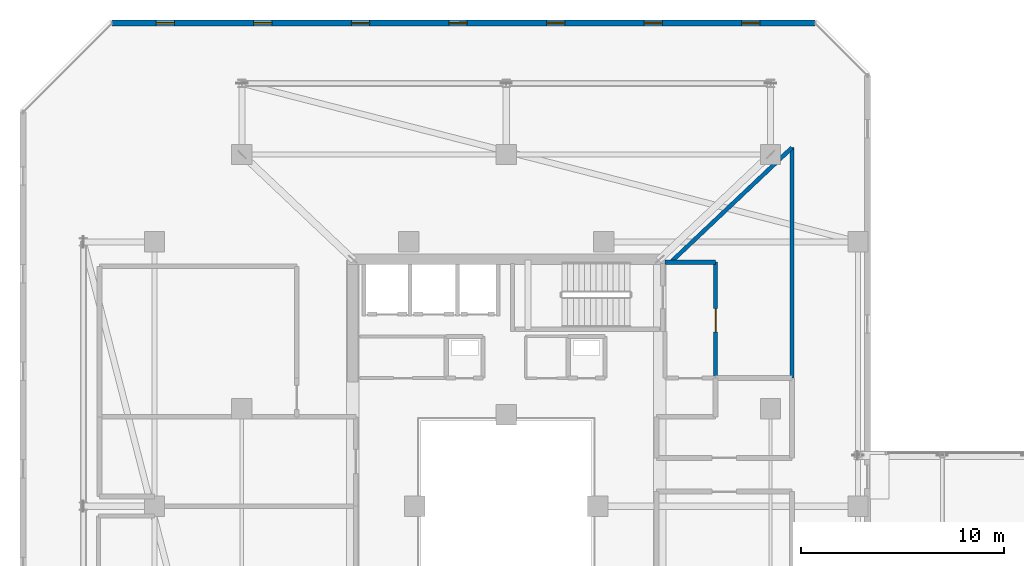
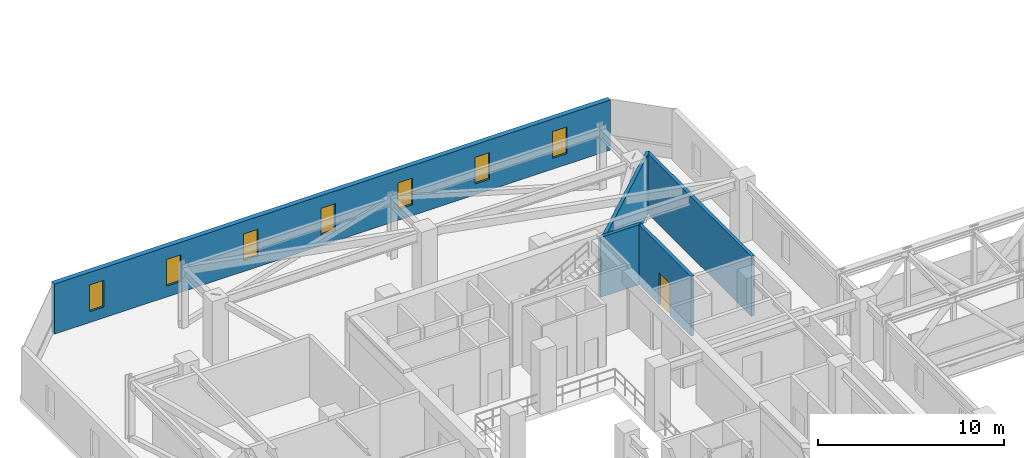
# One storey, part 36 of 42: 7 windows, 5 walls, 1 door, 8 openings.
"""IFC4 building model written with IfcOpenShell, lengths in metres."""

from ifc_helpers import new_model, si_unit, direction, frame, frame_2d, origin, place, context, subcontext, project, spatial, rectangle, extrude, material, layer, layer_set, type_object, element, fill, save


model = new_model("IFC4")

# Units and contexts
model_context = context("Model", 3, precision=1e-05, world=origin(), true_north=direction((0.0, 1.0)))
body_context = subcontext(model_context, "Body", "Model", "MODEL_VIEW")
ifc_project = project(units=[si_unit("LENGTHUNIT", "METRE"), si_unit("AREAUNIT", "SQUARE_METRE"), si_unit("VOLUMEUNIT", "CUBIC_METRE"), si_unit("PLANEANGLEUNIT", "RADIAN"), si_unit("MASSUNIT", "GRAM", prefix="KILO")], contexts=[model_context])

# Site, building, storey
site_placement = place(None, origin())
site = spatial("IfcSite", under=ifc_project, at=site_placement, CompositionType="ELEMENT")
building_placement = place(site_placement, origin())
building = spatial("IfcBuilding", under=site, at=building_placement, Name="Thornwick Lancets Civic Towers", CompositionType="ELEMENT")
storey_placement = place(building_placement, frame((0.0, 0.0, 221.699951171875)))
storey = spatial("IfcBuildingStorey", under=building, at=storey_placement, Name="L59", CompositionType="ELEMENT", Elevation=221.699951171875)

# Wall, opening, door
ifc_material_1 = material(Name="Concrete blockwork C40/50", Category="masonry")
ifc_layer_1 = layer(ifc_material_1, 0.199951171875, Name="Concrete blockwork C40/50")
ifc_layer_set_1 = layer_set([ifc_layer_1], Name="Concrete blockwork C40/50")
wall_type_1 = type_object("IfcWallType", Name="WALL_COMP_200", PredefinedType="STANDARD", material=ifc_layer_set_1)
wall_1_placement = place(storey_placement, frame((35.800048828125, 33.300048828125, 0.0), z_axis=(0.0, 0.0, 1.0), x_axis=(0.0, 1.0, 0.0)))
wall_1 = element("IfcWall", 1, at=wall_1_placement, inside=storey, type_object=wall_type_1, Name="L59 Partition L59-A-FFLOB2 E2", PredefinedType="STANDARD", context=body_context, shape_type="SweptSolid", body=[
    extrude(rectangle(XDim=5.699951171875, YDim=0.199951171875, at=frame_2d((2.85009765625, 0.0))), origin(), (0.0, 0.0, 1.0), 3.93994140625),
])
opening_1_placement = place(wall_1_placement, frame((2.27490234375, 0.0, 0.0)))
opening_1 = element("IfcOpeningElement", 2, at=opening_1_placement, cuts=wall_1, Name="Opening D-L59-2666", PredefinedType="OPENING", context=body_context, shape_type="SweptSolid", body=[
    extrude(rectangle(XDim=1.14990234375, YDim=2.10009765625, at=frame_2d((0.574951171875, 1.050048828125))), frame((0.0, 0.10986328125, 0.0), z_axis=(0.0, -1.0, 0.0), x_axis=(1.0, 0.0, 0.0)), (0.0, 0.0, 1.0), 0.219970703125),
])
ifc_material_2 = material(Name="Glazed fire-resisting steel", Category="steel")
door_type = type_object("IfcDoorType", Name="DOOR_LOBBY_FD60", OperationType="NOTDEFINED", PredefinedType="DOOR", material=ifc_material_2)
door_placement = place(opening_1_placement, origin())
door = element("IfcDoor", 3, at=door_placement, inside=storey, type_object=door_type, Name="L59 Tower A Refuge Holding Area 2 Door", OperationType="SINGLE_SWING_LEFT", OverallHeight=2.10009765625, OverallWidth=1.14990234375, PredefinedType="DOOR", context=body_context, shape_type="SweptSolid", body=[
    extrude(rectangle(XDim=1.14990234375, YDim=2.10009765625, at=frame_2d((0.574951171875, 1.050048828125))), frame((0.0, 0.02490234375, 0.0), z_axis=(0.0, -1.0, 0.0), x_axis=(1.0, 0.0, 0.0)), (0.0, 0.0, 1.0), 0.050048828125),
])
fill(opening_1, door)

# Walls
wall_2_placement = place(storey_placement, frame((35.800048828125, 39.0, 0.0), z_axis=(0.0, 0.0, 1.0), x_axis=(-1.0, 0.0, 0.0)))
element("IfcWall", 4, at=wall_2_placement, inside=storey, type_object=wall_type_1, Name="L59 Partition L59-A-FFLOB2 E3", PredefinedType="STANDARD", context=body_context, shape_type="SweptSolid", body=[
    extrude(rectangle(XDim=2.5, YDim=0.199951171875, at=frame_2d((1.25, 0.0))), origin(), (0.0, 0.0, 1.0), 3.93994140625),
])
wall_3_placement = place(storey_placement, frame((33.590087890625, 39.0, 0.0), z_axis=(0.0, 0.0, 1.0), x_axis=(0.72683147456, 0.686815846926, 0.0)))
element("IfcWall", 5, at=wall_3_placement, inside=storey, type_object=wall_type_1, Name="L59 Partition L59-A-REF2 E2", PredefinedType="STANDARD", context=body_context, shape_type="SweptSolid", body=[
    extrude(rectangle(XDim=8.199951171875, YDim=0.199951171875, at=frame_2d((4.10009765625, 0.0))), origin(), (0.0, 0.0, 1.0), 3.93994140625),
])
wall_4_placement = place(storey_placement, frame((39.550048828125, 44.6318359375, 0.0), z_axis=(0.0, 0.0, 1.0), x_axis=(0.0, -1.0, 0.0)))
element("IfcWall", 6, at=wall_4_placement, inside=storey, type_object=wall_type_1, Name="L59 Partition L59-A-REF2 E3", PredefinedType="STANDARD", context=body_context, shape_type="SweptSolid", body=[
    extrude(rectangle(XDim=11.331787109375, YDim=0.199951171875, at=frame_2d((5.666015625, 0.0))), origin(), (0.0, 0.0, 1.0), 3.93994140625),
])

# Wall, openings, windows
ifc_material_3 = material(Name="Insulated russet terracotta rainscreen on concrete C40/50", Category="masonry")
ifc_layer_2 = layer(ifc_material_3, 0.300048828125, Name="Insulated russet terracotta rainscreen on concrete C40/50")
ifc_layer_set_2 = layer_set([ifc_layer_2], Name="Insulated russet terracotta rainscreen on concrete C40/50")
wall_type_2 = type_object("IfcWallType", Name="WALL_EXT_RUSSET_300", PredefinedType="STANDARD", material=ifc_layer_set_2)
wall_5_placement = place(storey_placement, frame((40.681396484375, 50.7646484375, 0.0), z_axis=(0.0, 0.0, 1.0), x_axis=(-0.999999985636, -0.000169493917, 0.0)))
wall_5 = element("IfcWall", 7, at=wall_5_placement, inside=storey, type_object=wall_type_2, Name="L59 Tower A Terracotta Facade Wall E4", PredefinedType="STANDARD", context=body_context, shape_type="SweptSolid", body=[
    extrude(rectangle(XDim=34.56982421875, YDim=0.300048828125, at=frame_2d((17.284912109375, 0.0))), origin(), (0.0, 0.0, 1.0), 3.300048828125),
])
opening_2_placement = place(wall_5_placement, frame((2.699951171875, 0.0, 0.719970703125)))
opening_2 = element("IfcOpeningElement", 8, at=opening_2_placement, cuts=wall_5, Name="Opening WL-01", PredefinedType="OPENING", context=body_context, shape_type="SweptSolid", body=[
    extrude(rectangle(XDim=0.89990234375, YDim=1.75, at=frame_2d((0.449951171875, 0.875))), frame((0.0, 0.16015625, 0.0), z_axis=(0.0, -1.0, 0.0), x_axis=(1.0, 0.0, 0.0)), (0.0, 0.0, 1.0), 0.320068359375),
])
opening_3_placement = place(wall_5_placement, frame((7.5, 0.0, 0.719970703125)))
opening_3 = element("IfcOpeningElement", 9, at=opening_3_placement, cuts=wall_5, Name="Opening WL-01", PredefinedType="OPENING", context=body_context, shape_type="SweptSolid", body=[
    extrude(rectangle(XDim=0.89990234375, YDim=1.75, at=frame_2d((0.449951171875, 0.875))), frame((0.0, 0.16015625, 0.0), z_axis=(0.0, -1.0, 0.0), x_axis=(1.0, 0.0, 0.0)), (0.0, 0.0, 1.0), 0.320068359375),
])
opening_4_placement = place(wall_5_placement, frame((12.300048828125, 0.0, 0.719970703125)))
opening_4 = element("IfcOpeningElement", 10, at=opening_4_placement, cuts=wall_5, Name="Opening WL-01", PredefinedType="OPENING", context=body_context, shape_type="SweptSolid", body=[
    extrude(rectangle(XDim=0.89990234375, YDim=1.75, at=frame_2d((0.449951171875, 0.875))), frame((0.0, 0.16015625, 0.0), z_axis=(0.0, -1.0, 0.0), x_axis=(1.0, 0.0, 0.0)), (0.0, 0.0, 1.0), 0.320068359375),
])
opening_5_placement = place(wall_5_placement, frame((17.10009765625, 0.0, 0.719970703125)))
opening_5 = element("IfcOpeningElement", 11, at=opening_5_placement, cuts=wall_5, Name="Opening WL-01", PredefinedType="OPENING", context=body_context, shape_type="SweptSolid", body=[
    extrude(rectangle(XDim=0.89990234375, YDim=1.75, at=frame_2d((0.449951171875, 0.875))), frame((0.0, 0.16015625, 0.0), z_axis=(0.0, -1.0, 0.0), x_axis=(1.0, 0.0, 0.0)), (0.0, 0.0, 1.0), 0.320068359375),
])
opening_6_placement = place(wall_5_placement, frame((21.89990234375, 0.0, 0.719970703125)))
opening_6 = element("IfcOpeningElement", 12, at=opening_6_placement, cuts=wall_5, Name="Opening WL-01", PredefinedType="OPENING", context=body_context, shape_type="SweptSolid", body=[
    extrude(rectangle(XDim=0.89990234375, YDim=1.75, at=frame_2d((0.449951171875, 0.875))), frame((0.0, 0.16015625, 0.0), z_axis=(0.0, -1.0, 0.0), x_axis=(1.0, 0.0, 0.0)), (0.0, 0.0, 1.0), 0.320068359375),
])
opening_7_placement = place(wall_5_placement, frame((26.699951171875, 0.0, 0.719970703125)))
opening_7 = element("IfcOpeningElement", 13, at=opening_7_placement, cuts=wall_5, Name="Opening WL-01", PredefinedType="OPENING", context=body_context, shape_type="SweptSolid", body=[
    extrude(rectangle(XDim=0.89990234375, YDim=1.75, at=frame_2d((0.449951171875, 0.875))), frame((0.0, 0.16015625, 0.0), z_axis=(0.0, -1.0, 0.0), x_axis=(1.0, 0.0, 0.0)), (0.0, 0.0, 1.0), 0.320068359375),
])
opening_8_placement = place(wall_5_placement, frame((31.5, 0.0, 0.719970703125)))
opening_8 = element("IfcOpeningElement", 14, at=opening_8_placement, cuts=wall_5, Name="Opening WL-01", PredefinedType="OPENING", context=body_context, shape_type="SweptSolid", body=[
    extrude(rectangle(XDim=0.89990234375, YDim=1.75, at=frame_2d((0.449951171875, 0.875))), frame((0.0, 0.16015625, 0.0), z_axis=(0.0, -1.0, 0.0), x_axis=(1.0, 0.0, 0.0)), (0.0, 0.0, 1.0), 0.320068359375),
])
ifc_material_4 = material(Name="Clear low-e double glazing in bronze frame", Category="glass")
window_type = type_object("IfcWindowType", Name="WIN_LANCET_900", PartitioningType="SINGLE_PANEL", PredefinedType="WINDOW", material=ifc_material_4)
window_1_placement = place(opening_2_placement, origin())
window_1 = element("IfcWindow", 15, at=window_1_placement, inside=storey, type_object=window_type, Name="L59 Tower A Staggered Lancet Window E4-1", OverallHeight=1.75, OverallWidth=0.89990234375, PartitioningType="SINGLE_PANEL", PredefinedType="WINDOW", context=body_context, shape_type="SweptSolid", body=[
    extrude(rectangle(XDim=0.89990234375, YDim=1.75, at=frame_2d((0.449951171875, 0.875))), frame((0.0, 0.030029296875, 0.0), z_axis=(0.0, -1.0, 0.0), x_axis=(1.0, 0.0, 0.0)), (0.0, 0.0, 1.0), 0.06005859375),
])
fill(opening_2, window_1)
window_2_placement = place(opening_3_placement, origin())
window_2 = element("IfcWindow", 16, at=window_2_placement, inside=storey, type_object=window_type, Name="L59 Tower A Staggered Lancet Window E4-2", OverallHeight=1.75, OverallWidth=0.89990234375, PartitioningType="SINGLE_PANEL", PredefinedType="WINDOW", context=body_context, shape_type="SweptSolid", body=[
    extrude(rectangle(XDim=0.89990234375, YDim=1.75, at=frame_2d((0.449951171875, 0.875))), frame((0.0, 0.030029296875, 0.0), z_axis=(0.0, -1.0, 0.0), x_axis=(1.0, 0.0, 0.0)), (0.0, 0.0, 1.0), 0.06005859375),
])
fill(opening_3, window_2)
window_3_placement = place(opening_4_placement, origin())
window_3 = element("IfcWindow", 17, at=window_3_placement, inside=storey, type_object=window_type, Name="L59 Tower A Staggered Lancet Window E4-3", OverallHeight=1.75, OverallWidth=0.89990234375, PartitioningType="SINGLE_PANEL", PredefinedType="WINDOW", context=body_context, shape_type="SweptSolid", body=[
    extrude(rectangle(XDim=0.89990234375, YDim=1.75, at=frame_2d((0.449951171875, 0.875))), frame((0.0, 0.030029296875, 0.0), z_axis=(0.0, -1.0, 0.0), x_axis=(1.0, 0.0, 0.0)), (0.0, 0.0, 1.0), 0.06005859375),
])
fill(opening_4, window_3)
window_4_placement = place(opening_5_placement, origin())
window_4 = element("IfcWindow", 18, at=window_4_placement, inside=storey, type_object=window_type, Name="L59 Tower A Staggered Lancet Window E4-4", OverallHeight=1.75, OverallWidth=0.89990234375, PartitioningType="SINGLE_PANEL", PredefinedType="WINDOW", context=body_context, shape_type="SweptSolid", body=[
    extrude(rectangle(XDim=0.89990234375, YDim=1.75, at=frame_2d((0.449951171875, 0.875))), frame((0.0, 0.030029296875, 0.0), z_axis=(0.0, -1.0, 0.0), x_axis=(1.0, 0.0, 0.0)), (0.0, 0.0, 1.0), 0.06005859375),
])
fill(opening_5, window_4)
window_5_placement = place(opening_6_placement, origin())
window_5 = element("IfcWindow", 19, at=window_5_placement, inside=storey, type_object=window_type, Name="L59 Tower A Staggered Lancet Window E4-5", OverallHeight=1.75, OverallWidth=0.89990234375, PartitioningType="SINGLE_PANEL", PredefinedType="WINDOW", context=body_context, shape_type="SweptSolid", body=[
    extrude(rectangle(XDim=0.89990234375, YDim=1.75, at=frame_2d((0.449951171875, 0.875))), frame((0.0, 0.030029296875, 0.0), z_axis=(0.0, -1.0, 0.0), x_axis=(1.0, 0.0, 0.0)), (0.0, 0.0, 1.0), 0.06005859375),
])
fill(opening_6, window_5)
window_6_placement = place(opening_7_placement, origin())
window_6 = element("IfcWindow", 20, at=window_6_placement, inside=storey, type_object=window_type, Name="L59 Tower A Staggered Lancet Window E4-6", OverallHeight=1.75, OverallWidth=0.89990234375, PartitioningType="SINGLE_PANEL", PredefinedType="WINDOW", context=body_context, shape_type="SweptSolid", body=[
    extrude(rectangle(XDim=0.89990234375, YDim=1.75, at=frame_2d((0.449951171875, 0.875))), frame((0.0, 0.030029296875, 0.0), z_axis=(0.0, -1.0, 0.0), x_axis=(1.0, 0.0, 0.0)), (0.0, 0.0, 1.0), 0.06005859375),
])
fill(opening_7, window_6)
window_7_placement = place(opening_8_placement, origin())
window_7 = element("IfcWindow", 21, at=window_7_placement, inside=storey, type_object=window_type, Name="L59 Tower A Staggered Lancet Window E4-7", OverallHeight=1.75, OverallWidth=0.89990234375, PartitioningType="SINGLE_PANEL", PredefinedType="WINDOW", context=body_context, shape_type="SweptSolid", body=[
    extrude(rectangle(XDim=0.89990234375, YDim=1.75, at=frame_2d((0.449951171875, 0.875))), frame((0.0, 0.030029296875, 0.0), z_axis=(0.0, -1.0, 0.0), x_axis=(1.0, 0.0, 0.0)), (0.0, 0.0, 1.0), 0.06005859375),
])
fill(opening_8, window_7)

save(model, "model.ifc")
